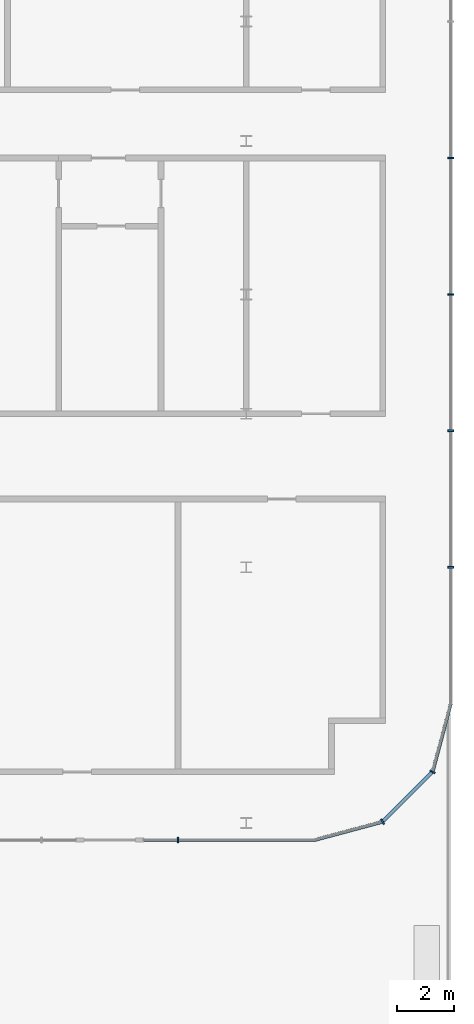
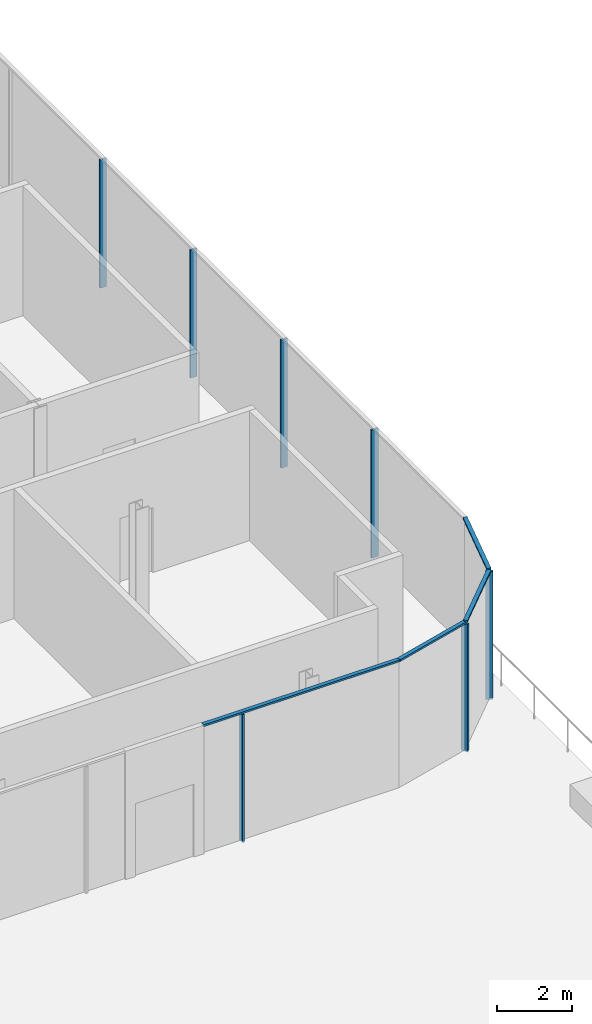
# One storey, part 12 of 45: 11 members, 3 elements without a shape of their own.
"""IFC4 building model written with IfcOpenShell, lengths in metres."""

from ifc_helpers import new_model, si_unit, direction, frame, origin, origin_2d, place, context, subcontext, project, spatial, rectangle, extrude, material, layer, layer_set, material_profile, profile_set, type_object, element, aggregate, save


model = new_model("IFC4")

# Units and contexts
model_context = context("Model", 3, precision=1e-05, world=origin(), true_north=direction((0.0, 1.0)))
body_context = subcontext(model_context, "Body", "Model", "MODEL_VIEW")
ifc_project = project(units=[si_unit("LENGTHUNIT", "METRE"), si_unit("AREAUNIT", "SQUARE_METRE"), si_unit("VOLUMEUNIT", "CUBIC_METRE"), si_unit("PLANEANGLEUNIT", "RADIAN"), si_unit("MASSUNIT", "GRAM", prefix="KILO")], contexts=[model_context])

# Site, building, storey
site_placement = place(None, origin())
site = spatial("IfcSite", under=ifc_project, at=site_placement, CompositionType="ELEMENT")
building_placement = place(site_placement, origin())
building = spatial("IfcBuilding", under=site, at=building_placement, Name="Madar Terraces", CompositionType="ELEMENT")
storey_placement = place(building_placement, frame((0.0, 0.0, 6.0)))
storey = spatial("IfcBuildingStorey", under=building, at=storey_placement, Name="L01", CompositionType="ELEMENT", Elevation=6.0)

# Curtain wall, member
ifc_material_1 = material(Name="Glass, clear low-iron, with black aluminium frame", Category="aluminium")
ifc_layer = layer(ifc_material_1, 0.199951171875)
ifc_layer_set = layer_set([ifc_layer], Name="Facade curtain wall, shopfront glazing")
curtain_wall_type = type_object("IfcCurtainWallType", Name="Facade curtain wall, shopfront glazing", PredefinedType="NOTDEFINED", material=ifc_layer_set)
curtain_wall_1_placement = place(storey_placement, origin())
curtain_wall_1 = element("IfcCurtainWall", 1, at=curtain_wall_1_placement, inside=storey, type_object=curtain_wall_type, Name="Outer skin curtain wall south bay 1", PredefinedType="NOTDEFINED")
ifc_material_2 = material(Name="Aluminium, black anodised", Category="aluminium")
ifc_material_profile_1 = material_profile(ifc_material_2, rectangle(XDim=0.199951171875, YDim=0.06005859375, at=origin_2d()), Name="Facade mullion 60x200")
ifc_profile_set_1 = profile_set([ifc_material_profile_1], Name="Aluminium, black anodised")
member_type_1 = type_object("IfcMemberType", Name="Facade mullion 60x200", PredefinedType="MULLION", material=ifc_profile_set_1)
member_1_placement = place(storey_placement, frame((60.0, -38.39990234375, 0.0), z_axis=(0.0, 0.0, 1.0), x_axis=(0.0, 1.0, 0.0)))
member_1 = element("IfcMember", 2, at=member_1_placement, type_object=member_type_1, Name="Mullion 13", PredefinedType="MULLION", context=body_context, shape_type="SweptSolid", body=[
    extrude(rectangle(XDim=0.199951171875, YDim=0.06005859375, at=origin_2d()), origin(), (0.0, 0.0, 1.0), 4.139892578125),
])

# Curtain wall, members
curtain_wall_2_placement = place(storey_placement, origin())
curtain_wall_2 = element("IfcCurtainWall", 3, at=curtain_wall_2_placement, inside=storey, type_object=curtain_wall_type, Name="Outer skin curtain wall east bay 1", PredefinedType="NOTDEFINED")
member_2_placement = place(storey_placement, frame((69.60009765625, -28.800048828125, 0.0), z_axis=(0.0, 0.0, 1.0), x_axis=(-1.0, 0.0, 0.0)))
member_2 = element("IfcMember", 4, at=member_2_placement, type_object=member_type_1, Name="Mullion 1", PredefinedType="MULLION", context=body_context, shape_type="SweptSolid", body=[
    extrude(rectangle(XDim=0.199951171875, YDim=0.06005859375, at=origin_2d()), origin(), (0.0, 0.0, 1.0), 4.139892578125),
])
member_3_placement = place(storey_placement, frame((69.60009765625, -24.0, 0.0), z_axis=(0.0, 0.0, 1.0), x_axis=(-1.0, 0.0, 0.0)))
member_3 = element("IfcMember", 5, at=member_3_placement, type_object=member_type_1, Name="Mullion 2", PredefinedType="MULLION", context=body_context, shape_type="SweptSolid", body=[
    extrude(rectangle(XDim=0.199951171875, YDim=0.06005859375, at=origin_2d()), origin(), (0.0, 0.0, 1.0), 4.139892578125),
])
member_4_placement = place(storey_placement, frame((69.60009765625, -19.199951171875, 0.0), z_axis=(0.0, 0.0, 1.0), x_axis=(-1.0, 0.0, 0.0)))
member_4 = element("IfcMember", 6, at=member_4_placement, type_object=member_type_1, Name="Mullion 3", PredefinedType="MULLION", context=body_context, shape_type="SweptSolid", body=[
    extrude(rectangle(XDim=0.199951171875, YDim=0.06005859375, at=origin_2d()), origin(), (0.0, 0.0, 1.0), 4.139892578125),
])
member_5_placement = place(storey_placement, frame((69.60009765625, -14.39990234375, 0.0), z_axis=(0.0, 0.0, 1.0), x_axis=(-1.0, 0.0, 0.0)))
member_5 = element("IfcMember", 7, at=member_5_placement, type_object=member_type_1, Name="Mullion 4", PredefinedType="MULLION", context=body_context, shape_type="SweptSolid", body=[
    extrude(rectangle(XDim=0.199951171875, YDim=0.06005859375, at=origin_2d()), origin(), (0.0, 0.0, 1.0), 4.139892578125),
])
aggregate(curtain_wall_2, [member_2, member_3, member_4, member_5])

curtain_wall_3_placement = place(storey_placement, origin())
curtain_wall_3 = element("IfcCurtainWall", 8, at=curtain_wall_3_placement, inside=storey, type_object=curtain_wall_type, Name="Outer skin curtain wall south-east corner", PredefinedType="NOTDEFINED")
member_6_placement = place(storey_placement, frame((67.199951171875, -37.7568359375, 0.0), z_axis=(0.0, 0.0, 1.0), x_axis=(-0.499999989586, 0.866025409797, 0.0)))
member_6 = element("IfcMember", 9, at=member_6_placement, type_object=member_type_1, Name="Mullion 1", PredefinedType="MULLION", context=body_context, shape_type="SweptSolid", body=[
    extrude(rectangle(XDim=0.199951171875, YDim=0.06005859375, at=origin_2d()), origin(), (0.0, 0.0, 1.0), 4.139892578125),
])
member_7_placement = place(storey_placement, frame((68.95703125, -36.0, 0.0), z_axis=(0.0, 0.0, 1.0), x_axis=(-0.866025409797, 0.499999989586, 0.0)))
member_7 = element("IfcMember", 10, at=member_7_placement, type_object=member_type_1, Name="Mullion 2", PredefinedType="MULLION", context=body_context, shape_type="SweptSolid", body=[
    extrude(rectangle(XDim=0.199951171875, YDim=0.06005859375, at=origin_2d()), origin(), (0.0, 0.0, 1.0), 4.139892578125),
])

# Member
ifc_material_3 = material(Name="Aluminium, black anodised", Category="aluminium")
ifc_material_profile_2 = material_profile(ifc_material_3, rectangle(XDim=0.1201171875, YDim=0.06005859375, at=origin_2d()), Name="Facade transom 60x120")
ifc_profile_set_2 = profile_set([ifc_material_profile_2], Name="Aluminium, black anodised")
member_type_2 = type_object("IfcMemberType", Name="Facade transom 60x120", PredefinedType="USERDEFINED", material=ifc_profile_set_2)
member_8_placement = place(storey_placement, frame((58.800048828125, -38.39990234375, 4.169921875), z_axis=(1.0, 0.0, 0.0), x_axis=(0.0, 1.0, 0.0)))
member_8 = element("IfcMember", 11, at=member_8_placement, type_object=member_type_2, Name="Transom 4", ObjectType="TRANSOM", PredefinedType="USERDEFINED", context=body_context, shape_type="SweptSolid", body=[
    extrude(rectangle(XDim=0.1201171875, YDim=0.06005859375, at=origin_2d()), origin(), (0.0, 0.0, 1.0), 6.0),
])

aggregate(curtain_wall_1, [member_1, member_8])

member_9_placement = place(storey_placement, frame((64.800048828125, -38.39990234375, 4.169921875), z_axis=(0.965933846022, 0.258789113195, 0.0), x_axis=(-0.258789113195, 0.965933846022, 0.0)))
member_9 = element("IfcMember", 12, at=member_9_placement, type_object=member_type_2, Name="Transom 1", ObjectType="TRANSOM", PredefinedType="USERDEFINED", context=body_context, shape_type="SweptSolid", body=[
    extrude(rectangle(XDim=0.1201171875, YDim=0.06005859375, at=origin_2d()), origin(), (0.0, 0.0, 1.0), 2.454833984375),
])

member_10_placement = place(storey_placement, frame((67.22119140625, -37.735595703125, 4.169921875), z_axis=(0.707157125196, 0.707056433593, 0.0), x_axis=(-0.707056433593, 0.707157125196, 0.0)))
member_10 = element("IfcMember", 13, at=member_10_placement, type_object=member_type_2, Name="Transom 2", ObjectType="TRANSOM", PredefinedType="USERDEFINED", context=body_context, shape_type="SweptSolid", body=[
    extrude(rectangle(XDim=0.1201171875, YDim=0.06005859375, at=origin_2d()), origin(), (0.0, 0.0, 1.0), 2.424560546875),
])

member_11_placement = place(storey_placement, frame((68.964599609375, -35.970947265625, 4.169921875), z_axis=(0.258906778225, 0.965902313999, 0.0), x_axis=(-0.965902313999, 0.258906778225, 0.0)))
member_11 = element("IfcMember", 14, at=member_11_placement, type_object=member_type_2, Name="Transom 3", ObjectType="TRANSOM", PredefinedType="USERDEFINED", context=body_context, shape_type="SweptSolid", body=[
    extrude(rectangle(XDim=0.1201171875, YDim=0.06005859375, at=origin_2d()), origin(), (0.0, 0.0, 1.0), 2.45458984375),
])

aggregate(curtain_wall_3, [member_6, member_9, member_7, member_10, member_11])

save(model, "model.ifc")
